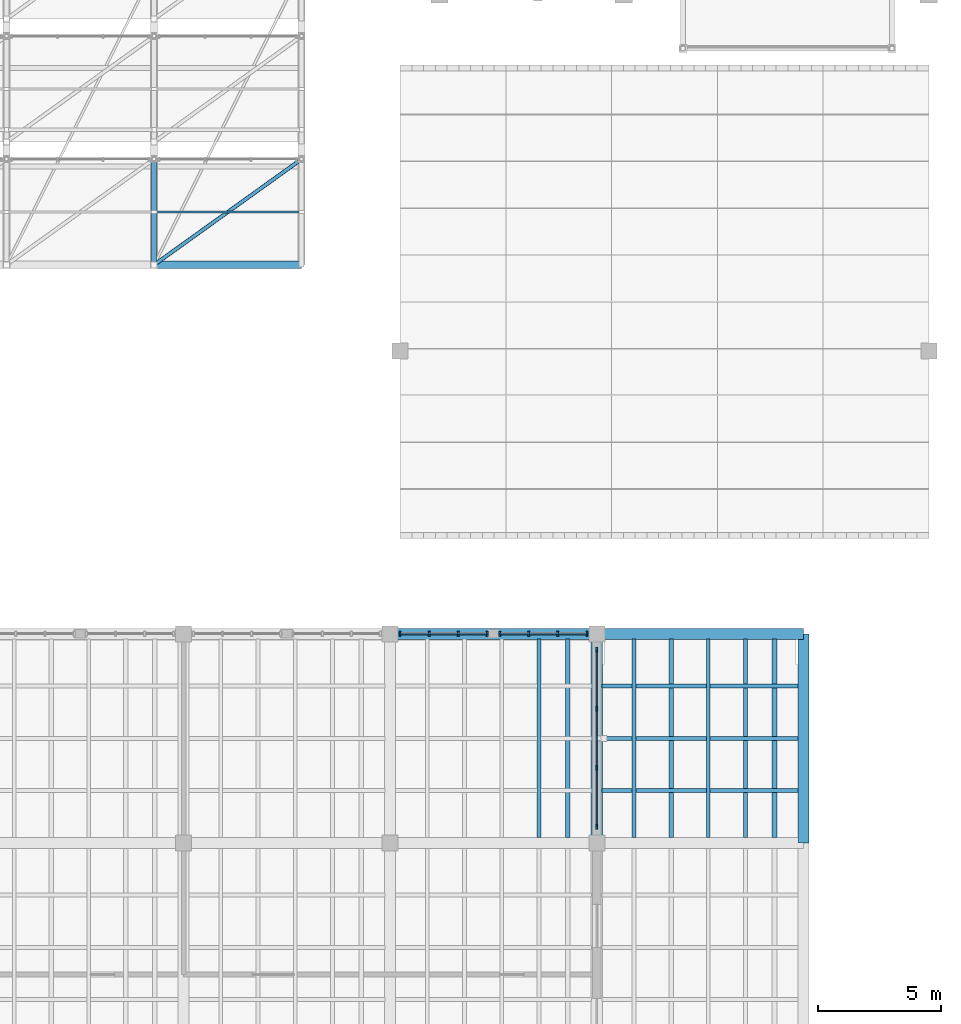
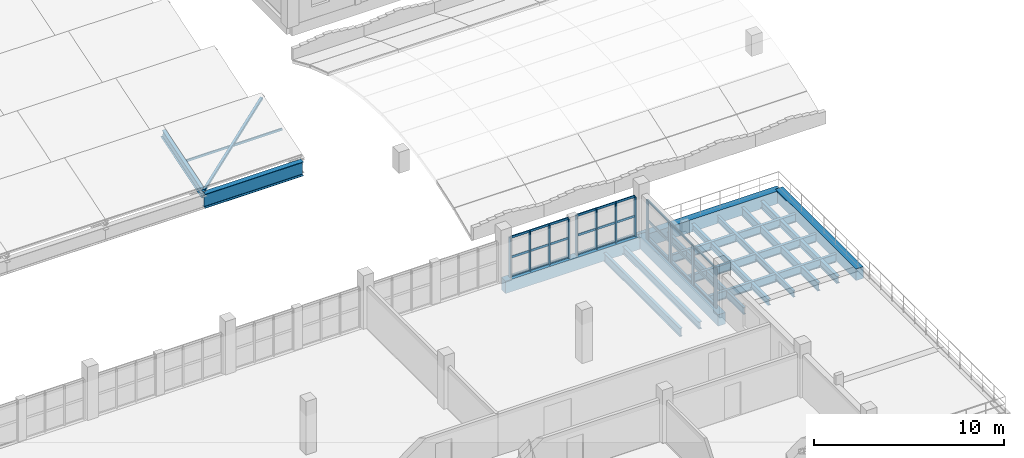
# One storey, part 18 of 48: 23 members, 16 beams, 3 elements without a shape of their own.
"""IFC4 building model written with IfcOpenShell, lengths in metres."""

from ifc_helpers import new_model, si_unit, direction, frame, origin, origin_2d, place, context, subcontext, project, spatial, rectangle, hollow_rectangle, i_section, extrude, material, layer, layer_set, material_profile, profile_set, type_object, element, aggregate, save


model = new_model("IFC4")

# Units and contexts
model_context = context("Model", 3, precision=1e-05, world=origin(), true_north=direction((0.0, 1.0)))
body_context = subcontext(model_context, "Body", "Model", "MODEL_VIEW")
ifc_project = project(units=[si_unit("LENGTHUNIT", "METRE"), si_unit("AREAUNIT", "SQUARE_METRE"), si_unit("VOLUMEUNIT", "CUBIC_METRE"), si_unit("PLANEANGLEUNIT", "RADIAN"), si_unit("MASSUNIT", "GRAM", prefix="KILO")], contexts=[model_context])

# Site, building, storey
site_placement = place(None, origin())
site = spatial("IfcSite", under=ifc_project, at=site_placement, CompositionType="ELEMENT")
building_placement = place(site_placement, origin())
building = spatial("IfcBuilding", under=site, at=building_placement, Name="Trellovar Central Fire Station", CompositionType="ELEMENT")
storey_placement = place(building_placement, frame((0.0, 0.0, 9.300048828125)))
storey = spatial("IfcBuildingStorey", under=building, at=storey_placement, Name="L03", CompositionType="ELEMENT", Elevation=9.300048828125)

# Beams
ifc_material_1 = material(Name="Concrete C40/50", Category="concrete")
ifc_material_profile_1 = material_profile(ifc_material_1, rectangle(XDim=0.449951171875, YDim=0.800048828125, at=origin_2d()), Name="RC450X800")
ifc_profile_set_1 = profile_set([ifc_material_profile_1], Name="Concrete C40/50")
beam_type_1 = type_object("IfcBeamType", Name="BM-G1", PredefinedType="BEAM", material=ifc_profile_set_1)
for number, where, z_axis, x_axis, name in (
    (1, (139.10009765625, 33.0, -0.400146484375), (1.0, 0.0, 0.0), (0.0, 1.0, 0.0), "L03 beam G-1"),
    (2, (147.5, 33.0, -0.400146484375), (1.0, 0.0, 0.0), (0.0, 1.0, 0.0), "L03 beam G-1"),
):
    element("IfcBeam", number, at=place(storey_placement, frame(where, z_axis=z_axis, x_axis=x_axis)), inside=storey, type_object=beam_type_1, Name=name, PredefinedType="BEAM", context=body_context, shape_type="SweptSolid", body=[
        extrude(rectangle(XDim=0.449951171875, YDim=0.800048828125, at=origin_2d()), origin(), (0.0, 0.0, 1.0), 8.39990234375),
    ])
ifc_material_2 = material(Name="Concrete C40/50", Category="concrete")
ifc_material_profile_2 = material_profile(ifc_material_2, rectangle(XDim=0.449951171875, YDim=0.75, at=origin_2d()), Name="RC450X750")
ifc_profile_set_2 = profile_set([ifc_material_profile_2], Name="Concrete C40/50")
beam_type_2 = type_object("IfcBeamType", Name="BM-G2", PredefinedType="BEAM", material=ifc_profile_set_2)
for number, where, z_axis, x_axis, name in (
    (3, (147.5, 24.5, -0.375), (0.0, 1.0, 0.0), (-1.0, 0.0, 0.0), "L03 beam G-2"),
    (4, (155.89990234375, 24.5, -0.375), (0.0, 1.0, 0.0), (-1.0, 0.0, 0.0), "L03 beam G-2"),
):
    element("IfcBeam", number, at=place(storey_placement, frame(where, z_axis=z_axis, x_axis=x_axis)), inside=storey, type_object=beam_type_2, Name=name, PredefinedType="BEAM", context=body_context, shape_type="SweptSolid", body=[
        extrude(rectangle(XDim=0.449951171875, YDim=0.75, at=origin_2d()), origin(), (0.0, 0.0, 1.0), 8.5),
    ])
ifc_material_3 = material(Name="Steel ASTM A992 Grade 50", Category="steel")
ifc_material_profile_3 = material_profile(ifc_material_3, i_section(OverallWidth=0.3046875, OverallDepth=0.911865234375, WebThickness=0.015869140625, FlangeThickness=0.02392578125, FilletRadius=0.024169921875, at=origin_2d()), Name="W36X150")
ifc_profile_set_3 = profile_set([ifc_material_profile_3], Name="Steel ASTM A992 Grade 50")
beam_type_3 = type_object("IfcBeamType", Name="BM-SW1", PredefinedType="BEAM", material=ifc_profile_set_3)
beam_1_placement = place(storey_placement, frame((129.5, 48.0, -0.635986328125), z_axis=(1.0, 0.0, 0.0), x_axis=(0.0, 1.0, 0.0)))
element("IfcBeam", 5, at=beam_1_placement, inside=storey, type_object=beam_type_3, Name="L03 beam SB-1", PredefinedType="BEAM", context=body_context, shape_type="SweptSolid", body=[
    extrude(i_section(OverallWidth=0.3046875, OverallDepth=0.911865234375, WebThickness=0.015869140625, FlangeThickness=0.02392578125, FilletRadius=0.024169921875, at=origin_2d()), origin(), (0.0, 0.0, 1.0), 6.0),
])
ifc_material_4 = material(Name="Steel ASTM A992 Grade 50", Category="steel")
ifc_material_profile_4 = material_profile(ifc_material_4, i_section(OverallWidth=0.15283203125, OverallDepth=0.45458984375, WebThickness=0.008056640625, FlangeThickness=0.01318359375, FilletRadius=0.0126953125, at=origin_2d()), Name="W18X40")
ifc_profile_set_4 = profile_set([ifc_material_profile_4], Name="Steel ASTM A992 Grade 50")
beam_type_4 = type_object("IfcBeamType", Name="BM-SW10", PredefinedType="JOIST", material=ifc_profile_set_4)
beam_2_placement = place(storey_placement, frame((149.011962890625, 24.719970703125, -0.487548828125), z_axis=(0.0, 1.0, 0.0), x_axis=(-1.0, 0.0, 0.0)))
element("IfcBeam", 6, at=beam_2_placement, inside=storey, type_object=beam_type_4, Name="L03 secondary steel deck joist", PredefinedType="JOIST", context=body_context, shape_type="SweptSolid", body=[
    extrude(i_section(OverallWidth=0.15283203125, OverallDepth=0.45458984375, WebThickness=0.008056640625, FlangeThickness=0.01318359375, FilletRadius=0.0126953125, at=origin_2d()), origin(), (0.0, 0.0, 1.0), 8.06005859375),
])
ifc_material_5 = material(Name="Steel ASTM A992 Grade 50", Category="steel")
ifc_material_profile_5 = material_profile(ifc_material_5, i_section(OverallWidth=0.177490234375, OverallDepth=0.40380859375, WebThickness=0.007568359375, FlangeThickness=0.010986328125, FilletRadius=0.011474609375, at=origin_2d()), Name="W16X36")
ifc_profile_set_5 = profile_set([ifc_material_profile_5], Name="Steel ASTM A992 Grade 50")
beam_type_5 = type_object("IfcBeamType", Name="BM-SW11", PredefinedType="JOIST", material=ifc_profile_set_5)
beam_3_placement = place(storey_placement, frame((150.52392578125, 24.719970703125, -0.462158203125), z_axis=(0.0, 1.0, 0.0), x_axis=(-1.0, 0.0, 0.0)))
element("IfcBeam", 7, at=beam_3_placement, inside=storey, type_object=beam_type_5, Name="L03 secondary steel deck joist", PredefinedType="JOIST", context=body_context, shape_type="SweptSolid", body=[
    extrude(i_section(OverallWidth=0.177490234375, OverallDepth=0.40380859375, WebThickness=0.007568359375, FlangeThickness=0.010986328125, FilletRadius=0.011474609375, at=origin_2d()), origin(), (0.0, 0.0, 1.0), 8.06005859375),
])
ifc_material_6 = material(Name="Steel ASTM A992 Grade 50", Category="steel")
ifc_material_profile_6 = material_profile(ifc_material_6, i_section(OverallWidth=0.140380859375, OverallDepth=0.4033203125, WebThickness=0.007080078125, FlangeThickness=0.01123046875, FilletRadius=0.011474609375, at=origin_2d()), Name="W16X31")
ifc_profile_set_6 = profile_set([ifc_material_profile_6], Name="Steel ASTM A992 Grade 50")
beam_type_6 = type_object("IfcBeamType", Name="BM-SW12", PredefinedType="JOIST", material=ifc_profile_set_6)
beam_4_placement = place(storey_placement, frame((152.035888671875, 24.719970703125, -0.461669921875), z_axis=(0.0, 1.0, 0.0), x_axis=(-1.0, 0.0, 0.0)))
element("IfcBeam", 8, at=beam_4_placement, inside=storey, type_object=beam_type_6, Name="L03 secondary steel deck joist", PredefinedType="JOIST", context=body_context, shape_type="SweptSolid", body=[
    extrude(i_section(OverallWidth=0.140380859375, OverallDepth=0.4033203125, WebThickness=0.007080078125, FlangeThickness=0.01123046875, FilletRadius=0.011474609375, at=origin_2d()), origin(), (0.0, 0.0, 1.0), 8.06005859375),
])
ifc_material_7 = material(Name="Steel ASTM A992 Grade 50", Category="steel")
ifc_material_profile_7 = material_profile(ifc_material_7, i_section(OverallWidth=0.209228515625, OverallDepth=0.533447265625, WebThickness=0.01025390625, FlangeThickness=0.015625, FilletRadius=0.013916015625, at=origin_2d()), Name="W21X62")
ifc_profile_set_7 = profile_set([ifc_material_profile_7], Name="Steel ASTM A992 Grade 50")
beam_type_7 = type_object("IfcBeamType", Name="BM-SW7", PredefinedType="BEAM", material=ifc_profile_set_7)
beam_5_placement = place(storey_placement, frame((129.5, 48.0, -0.266845703125), z_axis=(0.0, 0.954079117135, 0.299554733308), x_axis=(-1.0, 0.0, 0.0)))
element("IfcBeam", 9, at=beam_5_placement, inside=storey, type_object=beam_type_7, Name="Sawtooth steel rafter", PredefinedType="BEAM", context=body_context, shape_type="SweptSolid", body=[
    extrude(i_section(OverallWidth=0.209228515625, OverallDepth=0.533447265625, WebThickness=0.01025390625, FlangeThickness=0.015625, FilletRadius=0.013916015625, at=origin_2d()), origin(), (0.0, 0.0, 1.0), 4.507080078125),
])
ifc_material_8 = material(Name="Steel ASTM A992 Grade 50", Category="steel")
ifc_material_profile_8 = material_profile(ifc_material_8, i_section(OverallWidth=0.166015625, OverallDepth=0.529052734375, WebThickness=0.009765625, FlangeThickness=0.013671875, FilletRadius=0.013916015625, at=origin_2d()), Name="W21X50")
ifc_profile_set_8 = profile_set([ifc_material_profile_8], Name="Steel ASTM A992 Grade 50")
beam_type_8 = type_object("IfcBeamType", Name="BM-SW8", PredefinedType="JOIST", material=ifc_profile_set_8)
for number, where, z_axis, x_axis, name in (
    (10, (147.719970703125, 26.625, -0.524658203125), (1.0, 0.0, 0.0), (0.0, 1.0, 0.0), "L03 beam SB-8"),
    (11, (147.719970703125, 28.75, -0.524658203125), (1.0, 0.0, 0.0), (0.0, 1.0, 0.0), "L03 beam SB-8"),
    (12, (147.719970703125, 30.875, -0.524658203125), (1.0, 0.0, 0.0), (0.0, 1.0, 0.0), "L03 beam SB-8"),
):
    element("IfcBeam", number, at=place(storey_placement, frame(where, z_axis=z_axis, x_axis=x_axis)), inside=storey, type_object=beam_type_8, Name=name, PredefinedType="JOIST", context=body_context, shape_type="SweptSolid", body=[
        extrude(i_section(OverallWidth=0.166015625, OverallDepth=0.529052734375, WebThickness=0.009765625, FlangeThickness=0.013671875, FilletRadius=0.013916015625, at=origin_2d()), origin(), (0.0, 0.0, 1.0), 7.9599609375),
    ])
for number, where, z_axis, x_axis, name in (
    (13, (145.14794921875, 24.719970703125, -0.524658203125), (0.0, 1.0, 0.0), (-1.0, 0.0, 0.0), "L03 secondary steel deck joist"),
    (14, (153.548095703125, 24.719970703125, -0.524658203125), (0.0, 1.0, 0.0), (-1.0, 0.0, 0.0), "L03 secondary steel deck joist"),
):
    element("IfcBeam", number, at=place(storey_placement, frame(where, z_axis=z_axis, x_axis=x_axis)), inside=storey, type_object=beam_type_8, Name=name, PredefinedType="JOIST", context=body_context, shape_type="SweptSolid", body=[
        extrude(i_section(OverallWidth=0.166015625, OverallDepth=0.529052734375, WebThickness=0.009765625, FlangeThickness=0.013671875, FilletRadius=0.013916015625, at=origin_2d()), origin(), (0.0, 0.0, 1.0), 8.06005859375),
    ])
ifc_material_9 = material(Name="Steel ASTM A992 Grade 50", Category="steel")
ifc_material_profile_9 = material_profile(ifc_material_9, i_section(OverallWidth=0.1904296875, OverallDepth=0.457275390625, WebThickness=0.009033203125, FlangeThickness=0.014404296875, FilletRadius=0.0126953125, at=origin_2d()), Name="W18X50")
ifc_profile_set_9 = profile_set([ifc_material_profile_9], Name="Steel ASTM A992 Grade 50")
beam_type_9 = type_object("IfcBeamType", Name="BM-SW9", PredefinedType="JOIST", material=ifc_profile_set_9)
for number, where, z_axis, x_axis, name in (
    (15, (146.323974609375, 24.719970703125, -0.48876953125), (0.0, 1.0, 0.0), (-1.0, 0.0, 0.0), "L03 secondary steel deck joist"),
    (16, (154.72412109375, 24.719970703125, -0.48876953125), (0.0, 1.0, 0.0), (-1.0, 0.0, 0.0), "L03 secondary steel deck joist"),
):
    element("IfcBeam", number, at=place(storey_placement, frame(where, z_axis=z_axis, x_axis=x_axis)), inside=storey, type_object=beam_type_9, Name=name, PredefinedType="JOIST", context=body_context, shape_type="SweptSolid", body=[
        extrude(i_section(OverallWidth=0.1904296875, OverallDepth=0.457275390625, WebThickness=0.009033203125, FlangeThickness=0.014404296875, FilletRadius=0.0126953125, at=origin_2d()), origin(), (0.0, 0.0, 1.0), 8.06005859375),
    ])

# Curtain wall, members
ifc_material_10 = material(Name="Thermally broken bronze anodized aluminum", Category="aluminium")
ifc_layer_1 = layer(ifc_material_10, 0.159912109375)
ifc_layer_set_1 = layer_set([ifc_layer_1], Name="Thermally broken bronze anodized aluminum")
curtain_wall_type_1 = type_object("IfcCurtainWallType", Name="CW-09", PredefinedType="NOTDEFINED", material=ifc_layer_set_1)
curtain_wall_1_placement = place(storey_placement, origin())
curtain_wall_1 = element("IfcCurtainWall", 17, at=curtain_wall_1_placement, inside=storey, type_object=curtain_wall_type_1, Name="L03 curtain wall CW-9", PredefinedType="NOTDEFINED")
ifc_material_11 = material(Name="Thermally broken bronze anodized aluminum", Category="aluminium")
ifc_material_profile_10 = material_profile(ifc_material_11, rectangle(XDim=0.074951171875, YDim=0.199951171875, at=origin_2d()), Name="ALU75X200")
ifc_profile_set_10 = profile_set([ifc_material_profile_10], Name="Thermally broken bronze anodized aluminum")
member_type_1 = type_object("IfcMemberType", Name="CWM-1", PredefinedType="MULLION", material=ifc_profile_set_10)
member_1_placement = place(storey_placement, frame((147.10009765625, 33.0, 0.0), z_axis=(0.0, 0.0, 1.0), x_axis=(1.0, 0.0, 0.0)))
member_1 = element("IfcMember", 18, at=member_1_placement, type_object=member_type_1, Name="CW3-L03-0084 mullion 1", PredefinedType="MULLION", context=body_context, shape_type="SweptSolid", body=[
    extrude(rectangle(XDim=0.074951171875, YDim=0.199951171875, at=origin_2d()), origin(), (0.0, 0.0, 1.0), 2.550048828125),
])
member_2_placement = place(storey_placement, frame((145.916748046875, 33.0, 0.0), z_axis=(0.0, 0.0, 1.0), x_axis=(1.0, 0.0, 0.0)))
member_2 = element("IfcMember", 19, at=member_2_placement, type_object=member_type_1, Name="CW3-L03-0084 mullion 2", PredefinedType="MULLION", context=body_context, shape_type="SweptSolid", body=[
    extrude(rectangle(XDim=0.074951171875, YDim=0.199951171875, at=origin_2d()), origin(), (0.0, 0.0, 1.0), 2.550048828125),
])
member_3_placement = place(storey_placement, frame((144.7333984375, 33.0, 0.0), z_axis=(0.0, 0.0, 1.0), x_axis=(1.0, 0.0, 0.0)))
member_3 = element("IfcMember", 20, at=member_3_placement, type_object=member_type_1, Name="CW3-L03-0084 mullion 3", PredefinedType="MULLION", context=body_context, shape_type="SweptSolid", body=[
    extrude(rectangle(XDim=0.074951171875, YDim=0.199951171875, at=origin_2d()), origin(), (0.0, 0.0, 1.0), 2.550048828125),
])
member_4_placement = place(storey_placement, frame((143.550048828125, 33.0, 0.0), z_axis=(0.0, 0.0, 1.0), x_axis=(1.0, 0.0, 0.0)))
member_4 = element("IfcMember", 21, at=member_4_placement, type_object=member_type_1, Name="CW3-L03-0084 mullion 4", PredefinedType="MULLION", context=body_context, shape_type="SweptSolid", body=[
    extrude(rectangle(XDim=0.074951171875, YDim=0.199951171875, at=origin_2d()), origin(), (0.0, 0.0, 1.0), 2.550048828125),
])

ifc_material_12 = material(Name="Thermally broken bronze anodized aluminum", Category="aluminium")
ifc_layer_2 = layer(ifc_material_12, 0.159912109375)
ifc_layer_set_2 = layer_set([ifc_layer_2], Name="Thermally broken bronze anodized aluminum")
curtain_wall_type_2 = type_object("IfcCurtainWallType", Name="CW-10", PredefinedType="NOTDEFINED", material=ifc_layer_set_2)
curtain_wall_2_placement = place(storey_placement, origin())
curtain_wall_2 = element("IfcCurtainWall", 22, at=curtain_wall_2_placement, inside=storey, type_object=curtain_wall_type_2, Name="L03 curtain wall CW-10", PredefinedType="NOTDEFINED")
member_5_placement = place(storey_placement, frame((143.050048828125, 33.0, 0.0), z_axis=(0.0, 0.0, 1.0), x_axis=(1.0, 0.0, 0.0)))
member_5 = element("IfcMember", 23, at=member_5_placement, type_object=member_type_1, Name="CW3-L03-0085 mullion 1", PredefinedType="MULLION", context=body_context, shape_type="SweptSolid", body=[
    extrude(rectangle(XDim=0.074951171875, YDim=0.199951171875, at=origin_2d()), origin(), (0.0, 0.0, 1.0), 2.550048828125),
])
member_6_placement = place(storey_placement, frame((141.86669921875, 33.0, 0.0), z_axis=(0.0, 0.0, 1.0), x_axis=(1.0, 0.0, 0.0)))
member_6 = element("IfcMember", 24, at=member_6_placement, type_object=member_type_1, Name="CW3-L03-0085 mullion 2", PredefinedType="MULLION", context=body_context, shape_type="SweptSolid", body=[
    extrude(rectangle(XDim=0.074951171875, YDim=0.199951171875, at=origin_2d()), origin(), (0.0, 0.0, 1.0), 2.550048828125),
])
member_7_placement = place(storey_placement, frame((140.683349609375, 33.0, 0.0), z_axis=(0.0, 0.0, 1.0), x_axis=(1.0, 0.0, 0.0)))
member_7 = element("IfcMember", 25, at=member_7_placement, type_object=member_type_1, Name="CW3-L03-0085 mullion 3", PredefinedType="MULLION", context=body_context, shape_type="SweptSolid", body=[
    extrude(rectangle(XDim=0.074951171875, YDim=0.199951171875, at=origin_2d()), origin(), (0.0, 0.0, 1.0), 2.550048828125),
])
member_8_placement = place(storey_placement, frame((139.5, 33.0, 0.0), z_axis=(0.0, 0.0, 1.0), x_axis=(1.0, 0.0, 0.0)))
member_8 = element("IfcMember", 26, at=member_8_placement, type_object=member_type_1, Name="CW3-L03-0085 mullion 4", PredefinedType="MULLION", context=body_context, shape_type="SweptSolid", body=[
    extrude(rectangle(XDim=0.074951171875, YDim=0.199951171875, at=origin_2d()), origin(), (0.0, 0.0, 1.0), 2.550048828125),
])

ifc_material_13 = material(Name="Thermally broken bronze anodized aluminum", Category="aluminium")
ifc_layer_3 = layer(ifc_material_13, 0.159912109375)
ifc_layer_set_3 = layer_set([ifc_layer_3], Name="Thermally broken bronze anodized aluminum")
curtain_wall_type_3 = type_object("IfcCurtainWallType", Name="CW-01", PredefinedType="NOTDEFINED", material=ifc_layer_set_3)
curtain_wall_3_placement = place(storey_placement, origin())
curtain_wall_3 = element("IfcCurtainWall", 27, at=curtain_wall_3_placement, inside=storey, type_object=curtain_wall_type_3, Name="L03 curtain wall CW-1", PredefinedType="NOTDEFINED")
member_9_placement = place(storey_placement, frame((147.5, 25.14990234375, 0.0), z_axis=(0.0, 0.0, 1.0), x_axis=(1.0, 0.0, 0.0)))
member_9 = element("IfcMember", 28, at=member_9_placement, type_object=member_type_1, Name="CW3-L03-0090 mullion 1", PredefinedType="MULLION", context=body_context, shape_type="SweptSolid", body=[
    extrude(rectangle(XDim=0.074951171875, YDim=0.199951171875, at=origin_2d()), origin(), (0.0, 0.0, 1.0), 2.550048828125),
])
member_10_placement = place(storey_placement, frame((147.5, 27.550048828125, 0.0), z_axis=(0.0, 0.0, 1.0), x_axis=(1.0, 0.0, 0.0)))
member_10 = element("IfcMember", 29, at=member_10_placement, type_object=member_type_1, Name="CW3-L03-0090 mullion 2", PredefinedType="MULLION", context=body_context, shape_type="SweptSolid", body=[
    extrude(rectangle(XDim=0.074951171875, YDim=0.199951171875, at=origin_2d()), origin(), (0.0, 0.0, 1.0), 2.550048828125),
])
member_11_placement = place(storey_placement, frame((147.5, 29.949951171875, 0.0), z_axis=(0.0, 0.0, 1.0), x_axis=(1.0, 0.0, 0.0)))
member_11 = element("IfcMember", 30, at=member_11_placement, type_object=member_type_1, Name="CW3-L03-0090 mullion 3", PredefinedType="MULLION", context=body_context, shape_type="SweptSolid", body=[
    extrude(rectangle(XDim=0.074951171875, YDim=0.199951171875, at=origin_2d()), origin(), (0.0, 0.0, 1.0), 2.550048828125),
])
member_12_placement = place(storey_placement, frame((147.5, 32.35009765625, 0.0), z_axis=(0.0, 0.0, 1.0), x_axis=(1.0, 0.0, 0.0)))
member_12 = element("IfcMember", 31, at=member_12_placement, type_object=member_type_1, Name="CW3-L03-0090 mullion 4", PredefinedType="MULLION", context=body_context, shape_type="SweptSolid", body=[
    extrude(rectangle(XDim=0.074951171875, YDim=0.199951171875, at=origin_2d()), origin(), (0.0, 0.0, 1.0), 2.550048828125),
])

# Member
ifc_material_14 = material(Name="Thermally broken bronze anodized aluminum", Category="aluminium")
ifc_material_profile_11 = material_profile(ifc_material_14, rectangle(XDim=0.06005859375, YDim=0.139892578125, at=origin_2d()), Name="ALU60X140")
ifc_profile_set_11 = profile_set([ifc_material_profile_11], Name="Thermally broken bronze anodized aluminum")
member_type_2 = type_object("IfcMemberType", Name="CWT-1", PredefinedType="USERDEFINED", material=ifc_profile_set_11)
member_13_placement = place(storey_placement, frame((147.10009765625, 33.0, 0.0), z_axis=(-1.0, 0.0, 0.0), x_axis=(0.0, -1.0, 0.0)))
member_13 = element("IfcMember", 32, at=member_13_placement, type_object=member_type_2, Name="CW3-L03-0084 transom 1", ObjectType="TRANSOM", PredefinedType="USERDEFINED", context=body_context, shape_type="SweptSolid", body=[
    extrude(rectangle(XDim=0.06005859375, YDim=0.139892578125, at=origin_2d()), origin(), (0.0, 0.0, 1.0), 3.550048828125),
])

member_14_placement = place(storey_placement, frame((147.10009765625, 33.0, 1.27490234375), z_axis=(-1.0, 0.0, 0.0), x_axis=(0.0, -1.0, 0.0)))
member_14 = element("IfcMember", 33, at=member_14_placement, type_object=member_type_2, Name="CW3-L03-0084 transom 2", ObjectType="TRANSOM", PredefinedType="USERDEFINED", context=body_context, shape_type="SweptSolid", body=[
    extrude(rectangle(XDim=0.06005859375, YDim=0.139892578125, at=origin_2d()), origin(), (0.0, 0.0, 1.0), 3.550048828125),
])

member_15_placement = place(storey_placement, frame((147.10009765625, 33.0, 2.550048828125), z_axis=(-1.0, 0.0, 0.0), x_axis=(0.0, -1.0, 0.0)))
member_15 = element("IfcMember", 34, at=member_15_placement, type_object=member_type_2, Name="CW3-L03-0084 transom 3", ObjectType="TRANSOM", PredefinedType="USERDEFINED", context=body_context, shape_type="SweptSolid", body=[
    extrude(rectangle(XDim=0.06005859375, YDim=0.139892578125, at=origin_2d()), origin(), (0.0, 0.0, 1.0), 3.550048828125),
])

aggregate(curtain_wall_1, [member_1, member_2, member_3, member_4, member_13, member_14, member_15])

member_16_placement = place(storey_placement, frame((143.050048828125, 33.0, 0.0), z_axis=(-1.0, 0.0, 0.0), x_axis=(0.0, -1.0, 0.0)))
member_16 = element("IfcMember", 35, at=member_16_placement, type_object=member_type_2, Name="CW3-L03-0085 transom 1", ObjectType="TRANSOM", PredefinedType="USERDEFINED", context=body_context, shape_type="SweptSolid", body=[
    extrude(rectangle(XDim=0.06005859375, YDim=0.139892578125, at=origin_2d()), origin(), (0.0, 0.0, 1.0), 3.550048828125),
])

member_17_placement = place(storey_placement, frame((143.050048828125, 33.0, 1.27490234375), z_axis=(-1.0, 0.0, 0.0), x_axis=(0.0, -1.0, 0.0)))
member_17 = element("IfcMember", 36, at=member_17_placement, type_object=member_type_2, Name="CW3-L03-0085 transom 2", ObjectType="TRANSOM", PredefinedType="USERDEFINED", context=body_context, shape_type="SweptSolid", body=[
    extrude(rectangle(XDim=0.06005859375, YDim=0.139892578125, at=origin_2d()), origin(), (0.0, 0.0, 1.0), 3.550048828125),
])

member_18_placement = place(storey_placement, frame((143.050048828125, 33.0, 2.550048828125), z_axis=(-1.0, 0.0, 0.0), x_axis=(0.0, -1.0, 0.0)))
member_18 = element("IfcMember", 37, at=member_18_placement, type_object=member_type_2, Name="CW3-L03-0085 transom 3", ObjectType="TRANSOM", PredefinedType="USERDEFINED", context=body_context, shape_type="SweptSolid", body=[
    extrude(rectangle(XDim=0.06005859375, YDim=0.139892578125, at=origin_2d()), origin(), (0.0, 0.0, 1.0), 3.550048828125),
])

aggregate(curtain_wall_2, [member_5, member_6, member_7, member_8, member_16, member_17, member_18])

member_19_placement = place(storey_placement, frame((147.5, 25.14990234375, 0.0), z_axis=(0.0, 1.0, 0.0), x_axis=(-1.0, 0.0, 0.0)))
member_19 = element("IfcMember", 38, at=member_19_placement, type_object=member_type_2, Name="CW3-L03-0090 transom 1", ObjectType="TRANSOM", PredefinedType="USERDEFINED", context=body_context, shape_type="SweptSolid", body=[
    extrude(rectangle(XDim=0.06005859375, YDim=0.139892578125, at=origin_2d()), origin(), (0.0, 0.0, 1.0), 7.2001953125),
])

member_20_placement = place(storey_placement, frame((147.5, 25.14990234375, 1.27490234375), z_axis=(0.0, 1.0, 0.0), x_axis=(-1.0, 0.0, 0.0)))
member_20 = element("IfcMember", 39, at=member_20_placement, type_object=member_type_2, Name="CW3-L03-0090 transom 2", ObjectType="TRANSOM", PredefinedType="USERDEFINED", context=body_context, shape_type="SweptSolid", body=[
    extrude(rectangle(XDim=0.06005859375, YDim=0.139892578125, at=origin_2d()), origin(), (0.0, 0.0, 1.0), 7.2001953125),
])

member_21_placement = place(storey_placement, frame((147.5, 25.14990234375, 2.550048828125), z_axis=(0.0, 1.0, 0.0), x_axis=(-1.0, 0.0, 0.0)))
member_21 = element("IfcMember", 40, at=member_21_placement, type_object=member_type_2, Name="CW3-L03-0090 transom 3", ObjectType="TRANSOM", PredefinedType="USERDEFINED", context=body_context, shape_type="SweptSolid", body=[
    extrude(rectangle(XDim=0.06005859375, YDim=0.139892578125, at=origin_2d()), origin(), (0.0, 0.0, 1.0), 7.2001953125),
])

aggregate(curtain_wall_3, [member_9, member_10, member_11, member_12, member_19, member_20, member_21])

# Members
ifc_material_15 = material(Name="Steel ASTM A500 Grade C", Category="steel")
ifc_material_profile_12 = material_profile(ifc_material_15, hollow_rectangle(XDim=0.15234375, YDim=0.15234375, WallThickness=0.005859375, InnerFilletRadius=0.005859375, OuterFilletRadius=0.01171875, at=origin_2d()), Name="HSS6X6X1/4")
ifc_profile_set_12 = profile_set([ifc_material_profile_12], Name="Steel ASTM A500 Grade C")
member_type_3 = type_object("IfcMemberType", Name="MEM-BR1", PredefinedType="BRACE", material=ifc_profile_set_12)
member_22_placement = place(storey_placement, frame((129.5, 48.0, -0.02001953125), z_axis=(0.801405151762, 0.574346880614, 0.166959406617), x_axis=(-0.582523311563, 0.812813995626, 0.0)))
element("IfcMember", 41, at=member_22_placement, inside=storey, type_object=member_type_3, Name="Sawtooth roof plane diagonal brace", PredefinedType="BRACE", context=body_context, shape_type="SweptSolid", body=[
    extrude(hollow_rectangle(XDim=0.15234375, YDim=0.15234375, WallThickness=0.005859375, InnerFilletRadius=0.005859375, OuterFilletRadius=0.01171875, at=origin_2d()), origin(), (0.0, 0.0, 1.0), 7.48681640625),
])
ifc_material_16 = material(Name="Steel ASTM A500 Grade C", Category="steel")
ifc_material_profile_13 = material_profile(ifc_material_16, hollow_rectangle(XDim=0.076171875, YDim=0.15234375, WallThickness=0.005859375, InnerFilletRadius=0.005859375, OuterFilletRadius=0.01171875, at=origin_2d()), Name="HSS6X3X1/4")
ifc_profile_set_13 = profile_set([ifc_material_profile_13], Name="Steel ASTM A500 Grade C")
member_type_4 = type_object("IfcMemberType", Name="MEM-PU2", PredefinedType="PURLIN", material=ifc_profile_set_13)
member_23_placement = place(storey_placement, frame((129.5, 50.14990234375, 0.530029296875), z_axis=(1.0, 0.0, 0.0), x_axis=(0.0, 1.0, 0.0)))
element("IfcMember", 42, at=member_23_placement, inside=storey, type_object=member_type_4, Name="Sawtooth steel purlin", PredefinedType="PURLIN", context=body_context, shape_type="SweptSolid", body=[
    extrude(hollow_rectangle(XDim=0.076171875, YDim=0.15234375, WallThickness=0.005859375, InnerFilletRadius=0.005859375, OuterFilletRadius=0.01171875, at=origin_2d()), origin(), (0.0, 0.0, 1.0), 6.0),
])

save(model, "model.ifc")
